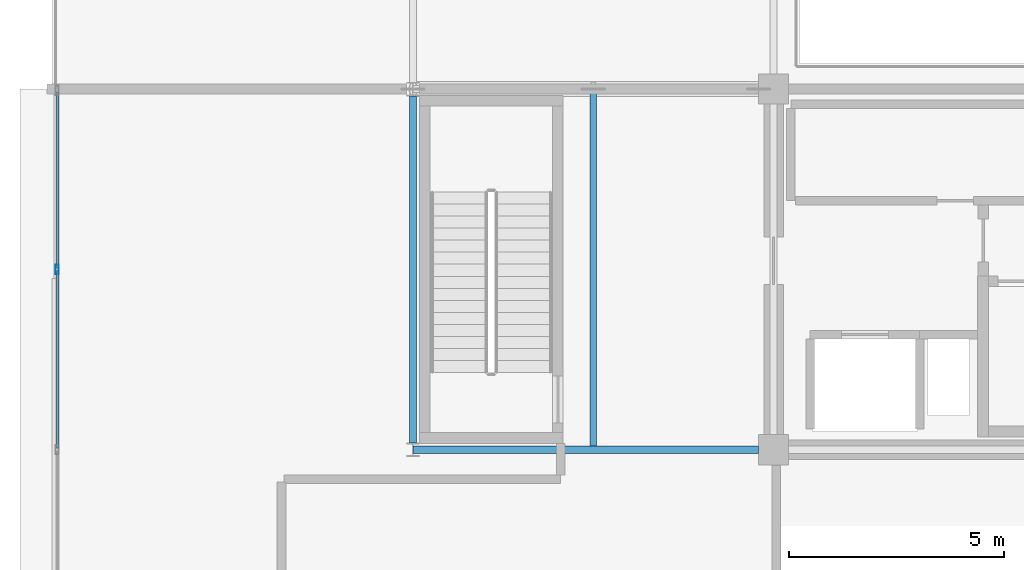
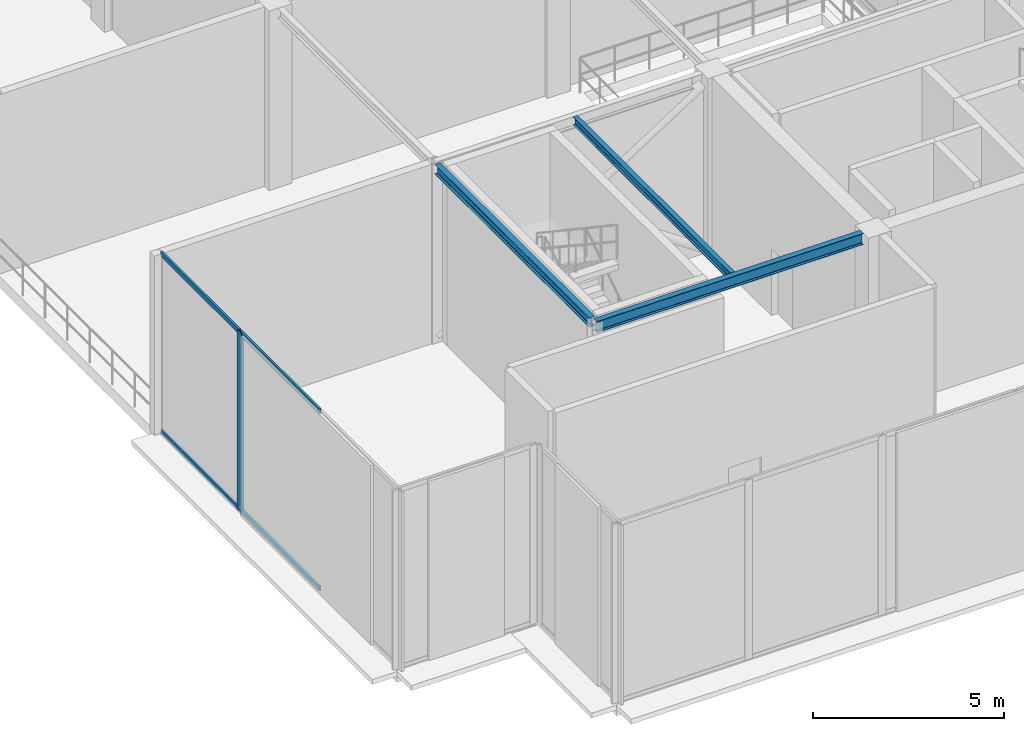
# One storey, part 3 of 19: 5 members, 3 beams, 1 element without a shape of its own.
"""IFC4 building model written with IfcOpenShell, lengths in metres."""

from ifc_helpers import new_model, si_unit, direction, frame, origin, origin_2d, place, context, subcontext, project, spatial, hollow_rectangle, i_section, extrude, material, layer, layer_set, material_profile, profile_set, type_object, element, aggregate, save


model = new_model("IFC4")

# Units and contexts
model_context = context("Model", 3, precision=1e-05, world=origin(), true_north=direction((0.0, 1.0)))
body_context = subcontext(model_context, "Body", "Model", "MODEL_VIEW")
ifc_project = project(units=[si_unit("LENGTHUNIT", "METRE"), si_unit("AREAUNIT", "SQUARE_METRE"), si_unit("VOLUMEUNIT", "CUBIC_METRE"), si_unit("PLANEANGLEUNIT", "RADIAN"), si_unit("MASSUNIT", "GRAM", prefix="KILO")], contexts=[model_context])

# Site, building, storey
site_placement = place(None, origin())
site = spatial("IfcSite", under=ifc_project, at=site_placement, CompositionType="ELEMENT")
building_placement = place(site_placement, origin())
building = spatial("IfcBuilding", under=site, at=building_placement, Name="Nerrivon Quay Data Exchange", CompositionType="ELEMENT")
storey_placement = place(building_placement, frame((0.0, 0.0, 327.0)))
storey = spatial("IfcBuildingStorey", under=building, at=storey_placement, Name="L78", CompositionType="ELEMENT", Elevation=327.0)

# Beams
ifc_material_1 = material(Name="Steel Grade 350", Category="steel")
ifc_material_profile_1 = material_profile(ifc_material_1, i_section(OverallWidth=0.172119140625, OverallDepth=0.35888671875, WebThickness=0.008056640625, FlangeThickness=0.012939453125, FilletRadius=0.011474609375, at=origin_2d()), Name="360UB56.7")
ifc_profile_set_1 = profile_set([ifc_material_profile_1], Name="Steel Grade 350")
beam_type_1 = type_object("IfcBeamType", Name="BM-J3-360UB57", PredefinedType="JOIST", material=ifc_profile_set_1)
beam_1_placement = place(storey_placement, frame((8.406005859375, 8.39990234375, 5.54541015625), z_axis=(1.0, 0.0, 0.0), x_axis=(0.0, 1.0, 0.0)))
element("IfcBeam", 1, at=beam_1_placement, inside=storey, type_object=beam_type_1, Name="L78 EW Girder Y=8.4 (8.4..16.8)", PredefinedType="JOIST", context=body_context, shape_type="SweptSolid", body=[
    extrude(i_section(OverallWidth=0.172119140625, OverallDepth=0.35888671875, WebThickness=0.008056640625, FlangeThickness=0.012939453125, FilletRadius=0.011474609375, at=origin_2d()), origin(), (0.0, 0.0, 1.0), 8.0439453125),
])
ifc_material_profile_2 = material_profile(ifc_material_1, i_section(OverallWidth=0.166015625, OverallDepth=0.306884765625, WebThickness=0.006591796875, FlangeThickness=0.01171875, FilletRadius=0.011474609375, at=origin_2d()), Name="310UB46.2")
ifc_profile_set_2 = profile_set([ifc_material_profile_2], Name="Steel Grade 350")
beam_type_2 = type_object("IfcBeamType", Name="BM-J5-310UB46", PredefinedType="JOIST", material=ifc_profile_set_2)
beam_2_placement = place(storey_placement, frame((8.39990234375, 8.5576171875, 5.571533203125), z_axis=(0.0, 1.0, 0.0), x_axis=(-1.0, 0.0, 0.0)))
element("IfcBeam", 2, at=beam_2_placement, inside=storey, type_object=beam_type_2, Name="L78 NS Girder X=8.4 (8.4..16.8)", PredefinedType="JOIST", context=body_context, shape_type="SweptSolid", body=[
    extrude(i_section(OverallWidth=0.166015625, OverallDepth=0.306884765625, WebThickness=0.006591796875, FlangeThickness=0.01171875, FilletRadius=0.011474609375, at=origin_2d()), origin(), (0.0, 0.0, 1.0), 8.0849609375),
])
ifc_material_profile_3 = material_profile(ifc_material_1, i_section(OverallWidth=0.14599609375, OverallDepth=0.256103515625, WebThickness=0.00634765625, FlangeThickness=0.010986328125, FilletRadius=0.0087890625, at=origin_2d()), Name="250UB37.3")
ifc_profile_set_3 = profile_set([ifc_material_profile_3], Name="Steel Grade 350")
beam_type_3 = type_object("IfcBeamType", Name="BM-J7-250UB37", PredefinedType="JOIST", material=ifc_profile_set_3)
beam_3_placement = place(storey_placement, frame((12.60009765625, 8.486083984375, 5.596923828125), z_axis=(0.0, 1.0, 0.0), x_axis=(-1.0, 0.0, 0.0)))
element("IfcBeam", 3, at=beam_3_placement, inside=storey, type_object=beam_type_3, Name="L78 Secondary Joist X=12.6 (8.4..16.8)", PredefinedType="JOIST", context=body_context, shape_type="SweptSolid", body=[
    extrude(i_section(OverallWidth=0.14599609375, OverallDepth=0.256103515625, WebThickness=0.00634765625, FlangeThickness=0.010986328125, FilletRadius=0.0087890625, at=origin_2d()), origin(), (0.0, 0.0, 1.0), 8.22802734375),
])

# Curtain wall, members
ifc_material_2 = material(Name="Anodised aluminium 6063-T6", Category="aluminium")
ifc_layer = layer(ifc_material_2, 0.22998046875)
ifc_layer_set = layer_set([ifc_layer], Name="Anodised aluminium 6063-T6")
curtain_wall_type = type_object("IfcCurtainWallType", Name="CW-SYS-05", PredefinedType="NOTDEFINED", material=ifc_layer_set)
curtain_wall_placement = place(storey_placement, origin())
curtain_wall = element("IfcCurtainWall", 4, at=curtain_wall_placement, inside=storey, type_object=curtain_wall_type, Name="L78 Crown Curtain Wall 8", PredefinedType="NOTDEFINED")
ifc_material_profile_4 = material_profile(ifc_material_2, hollow_rectangle(XDim=0.074951171875, YDim=0.219970703125, WallThickness=0.00390625, at=origin_2d()), Name="ALU-MULL-220x75")
ifc_profile_set_4 = profile_set([ifc_material_profile_4], Name="Anodised aluminium 6063-T6")
member_type_1 = type_object("IfcMemberType", Name="CWM-220x75", PredefinedType="MULLION", material=ifc_profile_set_4)
member_1_placement = place(storey_placement, frame((0.1201171875, 12.60009765625, 0.0), z_axis=(0.0, 0.0, 1.0), x_axis=(-1.0, 0.0, 0.0)))
member_1 = element("IfcMember", 5, at=member_1_placement, type_object=member_type_1, Name="CW05 mullion 3", PredefinedType="MULLION", context=body_context, shape_type="SweptSolid", body=[
    extrude(hollow_rectangle(XDim=0.074951171875, YDim=0.219970703125, WallThickness=0.00390625, at=origin_2d()), origin(), (0.0, 0.0, 1.0), 5.72509765625),
])
ifc_material_profile_5 = material_profile(ifc_material_2, hollow_rectangle(XDim=0.06494140625, YDim=0.14990234375, WallThickness=0.00341796875, at=origin_2d()), Name="ALU-TRAN-150x65")
ifc_profile_set_5 = profile_set([ifc_material_profile_5], Name="Anodised aluminium 6063-T6")
member_type_2 = type_object("IfcMemberType", Name="CWT-150x65", PredefinedType="USERDEFINED", material=ifc_profile_set_5)
member_2_placement = place(storey_placement, frame((0.1201171875, 8.4375, 0.032470703125), z_axis=(0.0, 1.0, 0.0), x_axis=(-1.0, 0.0, 0.0)))
member_2 = element("IfcMember", 6, at=member_2_placement, type_object=member_type_2, Name="CW05 transom 2.1", ObjectType="TRANSOM", PredefinedType="USERDEFINED", context=body_context, shape_type="SweptSolid", body=[
    extrude(hollow_rectangle(XDim=0.06494140625, YDim=0.14990234375, WallThickness=0.00341796875, at=origin_2d()), origin(), (0.0, 0.0, 1.0), 4.125),
])
member_3_placement = place(storey_placement, frame((0.1201171875, 8.4375, 5.6923828125), z_axis=(0.0, 1.0, 0.0), x_axis=(-1.0, 0.0, 0.0)))
member_3 = element("IfcMember", 7, at=member_3_placement, type_object=member_type_2, Name="CW05 transom 2.2", ObjectType="TRANSOM", PredefinedType="USERDEFINED", context=body_context, shape_type="SweptSolid", body=[
    extrude(hollow_rectangle(XDim=0.06494140625, YDim=0.14990234375, WallThickness=0.00341796875, at=origin_2d()), origin(), (0.0, 0.0, 1.0), 4.125),
])
member_4_placement = place(storey_placement, frame((0.1201171875, 12.637451171875, 0.032470703125), z_axis=(0.0, 1.0, 0.0), x_axis=(-1.0, 0.0, 0.0)))
member_4 = element("IfcMember", 8, at=member_4_placement, type_object=member_type_2, Name="CW05 transom 3.1", ObjectType="TRANSOM", PredefinedType="USERDEFINED", context=body_context, shape_type="SweptSolid", body=[
    extrude(hollow_rectangle(XDim=0.06494140625, YDim=0.14990234375, WallThickness=0.00341796875, at=origin_2d()), origin(), (0.0, 0.0, 1.0), 4.087646484375),
])
member_5_placement = place(storey_placement, frame((0.1201171875, 12.637451171875, 5.6923828125), z_axis=(0.0, 1.0, 0.0), x_axis=(-1.0, 0.0, 0.0)))
member_5 = element("IfcMember", 9, at=member_5_placement, type_object=member_type_2, Name="CW05 transom 3.2", ObjectType="TRANSOM", PredefinedType="USERDEFINED", context=body_context, shape_type="SweptSolid", body=[
    extrude(hollow_rectangle(XDim=0.06494140625, YDim=0.14990234375, WallThickness=0.00341796875, at=origin_2d()), origin(), (0.0, 0.0, 1.0), 4.087646484375),
])
aggregate(curtain_wall, [member_1, member_2, member_3, member_4, member_5])

save(model, "model.ifc")
